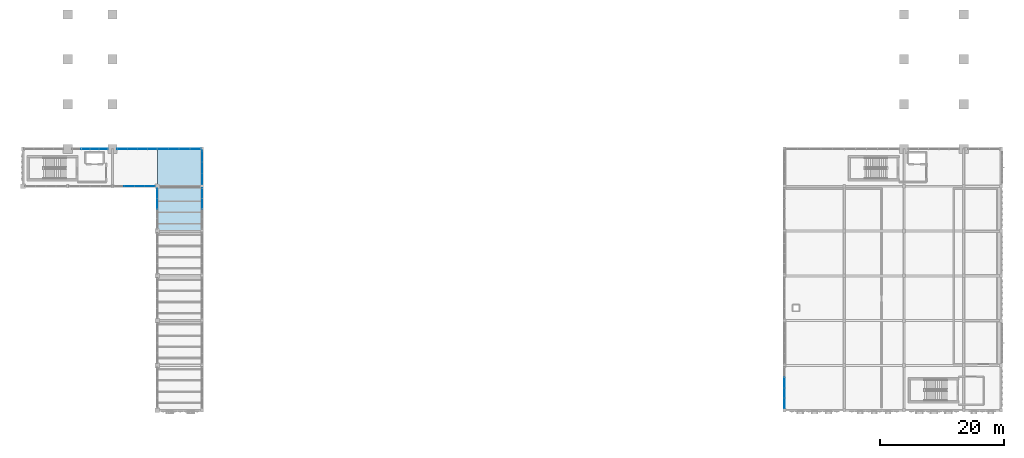
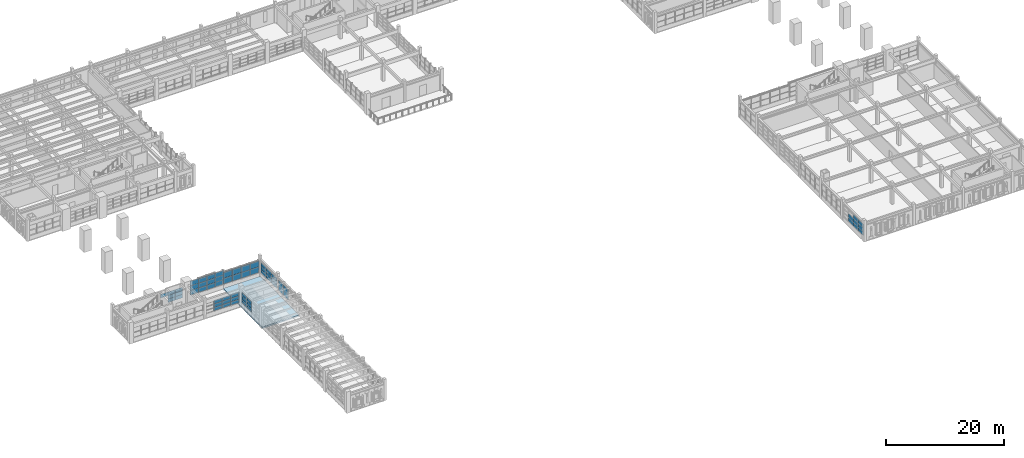
# One storey, part 34 of 69: 63 plates, 1 slab, 8 elements without a shape of their own.
"""IFC4 building model written with IfcOpenShell, lengths in metres."""

from ifc_helpers import new_model, si_unit, direction, frame, origin, origin_2d, place, context, subcontext, project, spatial, polyline, rectangle, outline, extrude, material, layer, layer_set, type_object, element, aggregate, save


model = new_model("IFC4")

# Units and contexts
model_context = context("Model", 3, precision=1e-05, world=origin(), true_north=direction((0.0, 1.0)))
body_context = subcontext(model_context, "Body", "Model", "MODEL_VIEW")
ifc_project = project(units=[si_unit("LENGTHUNIT", "METRE"), si_unit("AREAUNIT", "SQUARE_METRE"), si_unit("VOLUMEUNIT", "CUBIC_METRE"), si_unit("PLANEANGLEUNIT", "RADIAN"), si_unit("MASSUNIT", "GRAM", prefix="KILO")], contexts=[model_context])

# Site, building, storey
site_placement = place(None, origin())
site = spatial("IfcSite", under=ifc_project, at=site_placement, CompositionType="ELEMENT")
building_placement = place(site_placement, origin())
building = spatial("IfcBuilding", under=site, at=building_placement, Name="Nzembalo Square Collegiate School", CompositionType="ELEMENT")
storey_placement = place(building_placement, frame((0.0, 0.0, 5.10009765625)))
storey = spatial("IfcBuildingStorey", under=building, at=storey_placement, Name="L01", CompositionType="ELEMENT", Elevation=5.10009765625)

# Curtain wall, plates
ifc_material_1 = material(Name="Aluminium 6060-T66", Category="aluminium")
curtain_wall_type_1 = type_object("IfcCurtainWallType", Name="CW-05", PredefinedType="USERDEFINED", material=ifc_material_1)
curtain_wall_1_placement = place(storey_placement, origin())
curtain_wall_1 = element("IfcCurtainWall", 1, at=curtain_wall_1_placement, inside=storey, type_object=curtain_wall_type_1, Name="Curtain wall CW-05 cw:L01:036", ObjectType="LANCET", PredefinedType="USERDEFINED")
ifc_material_2 = material(Name="Laminated solar-control double glazing", Category="glass")
ifc_layer_1 = layer(ifc_material_2, 0.028076171875, Name="Laminated solar-control double glazing")
ifc_layer_set_1 = layer_set([ifc_layer_1], Name="Laminated solar-control double glazing")
plate_type_1 = type_object("IfcPlateType", Name="PN01", PredefinedType="CURTAIN_PANEL", material=ifc_layer_set_1)
plate_1_placement = place(storey_placement, frame((19.912109375, 50.39990234375, 0.85400390625), z_axis=(0.0, 0.0, 1.0), x_axis=(1.0, 0.0, 0.0)))
plate_1 = element("IfcPlate", 2, at=plate_1_placement, type_object=plate_type_1, Name="PN01 glazed panel 1-3", PredefinedType="CURTAIN_PANEL", context=body_context, shape_type="SweptSolid", body=[
    extrude(rectangle(XDim=1.416015625, YDim=0.028076171875, at=origin_2d()), origin(), (0.0, 0.0, 1.0), 0.716552734375),
])
plate_2_placement = place(storey_placement, frame((21.3359375, 50.39990234375, 0.85400390625), z_axis=(0.0, 0.0, 1.0), x_axis=(1.0, 0.0, 0.0)))
plate_2 = element("IfcPlate", 3, at=plate_2_placement, type_object=plate_type_1, Name="PN01 glazed panel 1-4", PredefinedType="CURTAIN_PANEL", context=body_context, shape_type="SweptSolid", body=[
    extrude(rectangle(XDim=1.416015625, YDim=0.028076171875, at=origin_2d()), origin(), (0.0, 0.0, 1.0), 0.716552734375),
])
plate_3_placement = place(storey_placement, frame((19.912109375, 50.39990234375, 1.57861328125), z_axis=(0.0, 0.0, 1.0), x_axis=(1.0, 0.0, 0.0)))
plate_3 = element("IfcPlate", 4, at=plate_3_placement, type_object=plate_type_1, Name="PN01 glazed panel 2-3", PredefinedType="CURTAIN_PANEL", context=body_context, shape_type="SweptSolid", body=[
    extrude(rectangle(XDim=1.416015625, YDim=0.028076171875, at=origin_2d()), origin(), (0.0, 0.0, 1.0), 0.716552734375),
])
plate_4_placement = place(storey_placement, frame((21.3359375, 50.39990234375, 1.57861328125), z_axis=(0.0, 0.0, 1.0), x_axis=(1.0, 0.0, 0.0)))
plate_4 = element("IfcPlate", 5, at=plate_4_placement, type_object=plate_type_1, Name="PN01 glazed panel 2-4", PredefinedType="CURTAIN_PANEL", context=body_context, shape_type="SweptSolid", body=[
    extrude(rectangle(XDim=1.416015625, YDim=0.028076171875, at=origin_2d()), origin(), (0.0, 0.0, 1.0), 0.716552734375),
])
plate_5_placement = place(storey_placement, frame((18.488037109375, 50.39990234375, 2.30322265625), z_axis=(0.0, 0.0, 1.0), x_axis=(1.0, 0.0, 0.0)))
plate_5 = element("IfcPlate", 6, at=plate_5_placement, type_object=plate_type_1, Name="PN01 glazed panel 3-2", PredefinedType="CURTAIN_PANEL", context=body_context, shape_type="SweptSolid", body=[
    extrude(rectangle(XDim=1.416015625, YDim=0.028076171875, at=origin_2d()), origin(), (0.0, 0.0, 1.0), 0.716552734375),
])
plate_6_placement = place(storey_placement, frame((19.912109375, 50.39990234375, 2.30322265625), z_axis=(0.0, 0.0, 1.0), x_axis=(1.0, 0.0, 0.0)))
plate_6 = element("IfcPlate", 7, at=plate_6_placement, type_object=plate_type_1, Name="PN01 glazed panel 3-3", PredefinedType="CURTAIN_PANEL", context=body_context, shape_type="SweptSolid", body=[
    extrude(rectangle(XDim=1.416015625, YDim=0.028076171875, at=origin_2d()), origin(), (0.0, 0.0, 1.0), 0.716552734375),
])
plate_7_placement = place(storey_placement, frame((21.3359375, 50.39990234375, 2.30322265625), z_axis=(0.0, 0.0, 1.0), x_axis=(1.0, 0.0, 0.0)))
plate_7 = element("IfcPlate", 8, at=plate_7_placement, type_object=plate_type_1, Name="PN01 glazed panel 3-4", PredefinedType="CURTAIN_PANEL", context=body_context, shape_type="SweptSolid", body=[
    extrude(rectangle(XDim=1.416015625, YDim=0.028076171875, at=origin_2d()), origin(), (0.0, 0.0, 1.0), 0.716552734375),
])
aggregate(curtain_wall_1, [plate_1, plate_2, plate_3, plate_4, plate_5, plate_6, plate_7])

ifc_material_3 = material(Name="Aluminium 6060-T66", Category="aluminium")
curtain_wall_type_2 = type_object("IfcCurtainWallType", Name="CW-13", PredefinedType="USERDEFINED", material=ifc_material_3)
curtain_wall_2_placement = place(storey_placement, origin())
curtain_wall_2 = element("IfcCurtainWall", 9, at=curtain_wall_2_placement, inside=storey, type_object=curtain_wall_type_2, Name="Curtain wall CW-13 cw:L01:044", ObjectType="UNITISED", PredefinedType="USERDEFINED")
plate_8_placement = place(storey_placement, frame((37.199951171875, 45.601318359375, 0.85400390625), z_axis=(0.0, 0.0, 1.0), x_axis=(0.0, 1.0, 0.0)))
plate_8 = element("IfcPlate", 10, at=plate_8_placement, type_object=plate_type_1, Name="PN01 glazed panel 1-1", PredefinedType="CURTAIN_PANEL", context=body_context, shape_type="SweptSolid", body=[
    extrude(rectangle(XDim=1.790771484375, YDim=0.028076171875, at=origin_2d()), origin(), (0.0, 0.0, 1.0), 0.716552734375),
])
plate_9_placement = place(storey_placement, frame((37.199951171875, 47.39990234375, 0.85400390625), z_axis=(0.0, 0.0, 1.0), x_axis=(0.0, 1.0, 0.0)))
plate_9 = element("IfcPlate", 11, at=plate_9_placement, type_object=plate_type_1, Name="PN01 glazed panel 1-2", PredefinedType="CURTAIN_PANEL", context=body_context, shape_type="SweptSolid", body=[
    extrude(rectangle(XDim=1.790771484375, YDim=0.028076171875, at=origin_2d()), origin(), (0.0, 0.0, 1.0), 0.716552734375),
])
plate_10_placement = place(storey_placement, frame((37.199951171875, 49.19873046875, 0.85400390625), z_axis=(0.0, 0.0, 1.0), x_axis=(0.0, 1.0, 0.0)))
plate_10 = element("IfcPlate", 12, at=plate_10_placement, type_object=plate_type_1, Name="PN01 glazed panel 1-3", PredefinedType="CURTAIN_PANEL", context=body_context, shape_type="SweptSolid", body=[
    extrude(rectangle(XDim=1.790771484375, YDim=0.028076171875, at=origin_2d()), origin(), (0.0, 0.0, 1.0), 0.716552734375),
])
plate_11_placement = place(storey_placement, frame((37.199951171875, 45.601318359375, 1.57861328125), z_axis=(0.0, 0.0, 1.0), x_axis=(0.0, 1.0, 0.0)))
plate_11 = element("IfcPlate", 13, at=plate_11_placement, type_object=plate_type_1, Name="PN01 glazed panel 2-1", PredefinedType="CURTAIN_PANEL", context=body_context, shape_type="SweptSolid", body=[
    extrude(rectangle(XDim=1.790771484375, YDim=0.028076171875, at=origin_2d()), origin(), (0.0, 0.0, 1.0), 0.716552734375),
])
plate_12_placement = place(storey_placement, frame((37.199951171875, 47.39990234375, 1.57861328125), z_axis=(0.0, 0.0, 1.0), x_axis=(0.0, 1.0, 0.0)))
plate_12 = element("IfcPlate", 14, at=plate_12_placement, type_object=plate_type_1, Name="PN01 glazed panel 2-2", PredefinedType="CURTAIN_PANEL", context=body_context, shape_type="SweptSolid", body=[
    extrude(rectangle(XDim=1.790771484375, YDim=0.028076171875, at=origin_2d()), origin(), (0.0, 0.0, 1.0), 0.716552734375),
])
plate_13_placement = place(storey_placement, frame((37.199951171875, 49.19873046875, 1.57861328125), z_axis=(0.0, 0.0, 1.0), x_axis=(0.0, 1.0, 0.0)))
plate_13 = element("IfcPlate", 15, at=plate_13_placement, type_object=plate_type_1, Name="PN01 glazed panel 2-3", PredefinedType="CURTAIN_PANEL", context=body_context, shape_type="SweptSolid", body=[
    extrude(rectangle(XDim=1.790771484375, YDim=0.028076171875, at=origin_2d()), origin(), (0.0, 0.0, 1.0), 0.716552734375),
])
plate_14_placement = place(storey_placement, frame((37.199951171875, 45.601318359375, 2.30322265625), z_axis=(0.0, 0.0, 1.0), x_axis=(0.0, 1.0, 0.0)))
plate_14 = element("IfcPlate", 16, at=plate_14_placement, type_object=plate_type_1, Name="PN01 glazed panel 3-1", PredefinedType="CURTAIN_PANEL", context=body_context, shape_type="SweptSolid", body=[
    extrude(rectangle(XDim=1.790771484375, YDim=0.028076171875, at=origin_2d()), origin(), (0.0, 0.0, 1.0), 0.716552734375),
])
plate_15_placement = place(storey_placement, frame((37.199951171875, 47.39990234375, 2.30322265625), z_axis=(0.0, 0.0, 1.0), x_axis=(0.0, 1.0, 0.0)))
plate_15 = element("IfcPlate", 17, at=plate_15_placement, type_object=plate_type_1, Name="PN01 glazed panel 3-2", PredefinedType="CURTAIN_PANEL", context=body_context, shape_type="SweptSolid", body=[
    extrude(rectangle(XDim=1.790771484375, YDim=0.028076171875, at=origin_2d()), origin(), (0.0, 0.0, 1.0), 0.716552734375),
])
plate_16_placement = place(storey_placement, frame((37.199951171875, 49.19873046875, 2.30322265625), z_axis=(0.0, 0.0, 1.0), x_axis=(0.0, 1.0, 0.0)))
plate_16 = element("IfcPlate", 18, at=plate_16_placement, type_object=plate_type_1, Name="PN01 glazed panel 3-3", PredefinedType="CURTAIN_PANEL", context=body_context, shape_type="SweptSolid", body=[
    extrude(rectangle(XDim=1.790771484375, YDim=0.028076171875, at=origin_2d()), origin(), (0.0, 0.0, 1.0), 0.716552734375),
])
aggregate(curtain_wall_2, [plate_8, plate_9, plate_10, plate_11, plate_12, plate_13, plate_14, plate_15, plate_16])

ifc_material_4 = material(Name="Aluminium 6060-T66", Category="aluminium")
curtain_wall_type_3 = type_object("IfcCurtainWallType", Name="CW-02", PredefinedType="USERDEFINED", material=ifc_material_4)
curtain_wall_3_placement = place(storey_placement, origin())
curtain_wall_3 = element("IfcCurtainWall", 19, at=curtain_wall_3_placement, inside=storey, type_object=curtain_wall_type_3, Name="Curtain wall CW-02 cw:L01:049", ObjectType="UNITISED", PredefinedType="USERDEFINED")
plate_17_placement = place(storey_placement, frame((30.0, 41.605712890625, 0.85400390625), z_axis=(0.0, 0.0, 1.0), x_axis=(0.0, 1.0, 0.0)))
plate_17 = element("IfcPlate", 20, at=plate_17_placement, type_object=plate_type_1, Name="PN01 glazed panel 1-3", PredefinedType="CURTAIN_PANEL", context=body_context, shape_type="SweptSolid", body=[
    extrude(rectangle(XDim=1.603515625, YDim=0.028076171875, at=origin_2d()), origin(), (0.0, 0.0, 1.0), 0.716552734375),
])
plate_18_placement = place(storey_placement, frame((30.0, 43.21728515625, 0.85400390625), z_axis=(0.0, 0.0, 1.0), x_axis=(0.0, 1.0, 0.0)))
plate_18 = element("IfcPlate", 21, at=plate_18_placement, type_object=plate_type_1, Name="PN01 glazed panel 1-4", PredefinedType="CURTAIN_PANEL", context=body_context, shape_type="SweptSolid", body=[
    extrude(rectangle(XDim=1.603515625, YDim=0.028076171875, at=origin_2d()), origin(), (0.0, 0.0, 1.0), 0.716552734375),
])
plate_19_placement = place(storey_placement, frame((30.0, 41.605712890625, 1.57861328125), z_axis=(0.0, 0.0, 1.0), x_axis=(0.0, 1.0, 0.0)))
plate_19 = element("IfcPlate", 22, at=plate_19_placement, type_object=plate_type_1, Name="PN01 glazed panel 2-3", PredefinedType="CURTAIN_PANEL", context=body_context, shape_type="SweptSolid", body=[
    extrude(rectangle(XDim=1.603515625, YDim=0.028076171875, at=origin_2d()), origin(), (0.0, 0.0, 1.0), 0.716552734375),
])
plate_20_placement = place(storey_placement, frame((30.0, 43.21728515625, 1.57861328125), z_axis=(0.0, 0.0, 1.0), x_axis=(0.0, 1.0, 0.0)))
plate_20 = element("IfcPlate", 23, at=plate_20_placement, type_object=plate_type_1, Name="PN01 glazed panel 2-4", PredefinedType="CURTAIN_PANEL", context=body_context, shape_type="SweptSolid", body=[
    extrude(rectangle(XDim=1.603515625, YDim=0.028076171875, at=origin_2d()), origin(), (0.0, 0.0, 1.0), 0.716552734375),
])
plate_21_placement = place(storey_placement, frame((30.0, 41.605712890625, 2.30322265625), z_axis=(0.0, 0.0, 1.0), x_axis=(0.0, 1.0, 0.0)))
plate_21 = element("IfcPlate", 24, at=plate_21_placement, type_object=plate_type_1, Name="PN01 glazed panel 3-3", PredefinedType="CURTAIN_PANEL", context=body_context, shape_type="SweptSolid", body=[
    extrude(rectangle(XDim=1.603515625, YDim=0.028076171875, at=origin_2d()), origin(), (0.0, 0.0, 1.0), 0.716552734375),
])
plate_22_placement = place(storey_placement, frame((30.0, 43.21728515625, 2.30322265625), z_axis=(0.0, 0.0, 1.0), x_axis=(0.0, 1.0, 0.0)))
plate_22 = element("IfcPlate", 25, at=plate_22_placement, type_object=plate_type_1, Name="PN01 glazed panel 3-4", PredefinedType="CURTAIN_PANEL", context=body_context, shape_type="SweptSolid", body=[
    extrude(rectangle(XDim=1.603515625, YDim=0.028076171875, at=origin_2d()), origin(), (0.0, 0.0, 1.0), 0.716552734375),
])
aggregate(curtain_wall_3, [plate_17, plate_18, plate_19, plate_20, plate_21, plate_22])

curtain_wall_4_placement = place(storey_placement, origin())
curtain_wall_4 = element("IfcCurtainWall", 26, at=curtain_wall_4_placement, inside=storey, type_object=curtain_wall_type_1, Name="Curtain wall CW-05 cw:L01:052", ObjectType="LANCET", PredefinedType="USERDEFINED")
plate_23_placement = place(storey_placement, frame((25.50048828125, 44.39990234375, 0.85400390625), z_axis=(0.0, 0.0, 1.0), x_axis=(1.0, 0.0, 0.0)))
plate_23 = element("IfcPlate", 27, at=plate_23_placement, type_object=plate_type_1, Name="PN01 glazed panel 1-2", PredefinedType="CURTAIN_PANEL", context=body_context, shape_type="SweptSolid", body=[
    extrude(rectangle(XDim=1.64111328125, YDim=0.028076171875, at=origin_2d()), origin(), (0.0, 0.0, 1.0), 0.716552734375),
])
plate_24_placement = place(storey_placement, frame((27.1494140625, 44.39990234375, 0.85400390625), z_axis=(0.0, 0.0, 1.0), x_axis=(1.0, 0.0, 0.0)))
plate_24 = element("IfcPlate", 28, at=plate_24_placement, type_object=plate_type_1, Name="PN01 glazed panel 1-3", PredefinedType="CURTAIN_PANEL", context=body_context, shape_type="SweptSolid", body=[
    extrude(rectangle(XDim=1.64111328125, YDim=0.028076171875, at=origin_2d()), origin(), (0.0, 0.0, 1.0), 0.716552734375),
])
plate_25_placement = place(storey_placement, frame((28.798583984375, 44.39990234375, 0.85400390625), z_axis=(0.0, 0.0, 1.0), x_axis=(1.0, 0.0, 0.0)))
plate_25 = element("IfcPlate", 29, at=plate_25_placement, type_object=plate_type_1, Name="PN01 glazed panel 1-4", PredefinedType="CURTAIN_PANEL", context=body_context, shape_type="SweptSolid", body=[
    extrude(rectangle(XDim=1.64111328125, YDim=0.028076171875, at=origin_2d()), origin(), (0.0, 0.0, 1.0), 0.716552734375),
])
plate_26_placement = place(storey_placement, frame((25.50048828125, 44.39990234375, 1.57861328125), z_axis=(0.0, 0.0, 1.0), x_axis=(1.0, 0.0, 0.0)))
plate_26 = element("IfcPlate", 30, at=plate_26_placement, type_object=plate_type_1, Name="PN01 glazed panel 2-2", PredefinedType="CURTAIN_PANEL", context=body_context, shape_type="SweptSolid", body=[
    extrude(rectangle(XDim=1.64111328125, YDim=0.028076171875, at=origin_2d()), origin(), (0.0, 0.0, 1.0), 0.716552734375),
])
plate_27_placement = place(storey_placement, frame((27.1494140625, 44.39990234375, 1.57861328125), z_axis=(0.0, 0.0, 1.0), x_axis=(1.0, 0.0, 0.0)))
plate_27 = element("IfcPlate", 31, at=plate_27_placement, type_object=plate_type_1, Name="PN01 glazed panel 2-3", PredefinedType="CURTAIN_PANEL", context=body_context, shape_type="SweptSolid", body=[
    extrude(rectangle(XDim=1.64111328125, YDim=0.028076171875, at=origin_2d()), origin(), (0.0, 0.0, 1.0), 0.716552734375),
])
plate_28_placement = place(storey_placement, frame((28.798583984375, 44.39990234375, 1.57861328125), z_axis=(0.0, 0.0, 1.0), x_axis=(1.0, 0.0, 0.0)))
plate_28 = element("IfcPlate", 32, at=plate_28_placement, type_object=plate_type_1, Name="PN01 glazed panel 2-4", PredefinedType="CURTAIN_PANEL", context=body_context, shape_type="SweptSolid", body=[
    extrude(rectangle(XDim=1.64111328125, YDim=0.028076171875, at=origin_2d()), origin(), (0.0, 0.0, 1.0), 0.716552734375),
])
plate_29_placement = place(storey_placement, frame((25.50048828125, 44.39990234375, 2.30322265625), z_axis=(0.0, 0.0, 1.0), x_axis=(1.0, 0.0, 0.0)))
plate_29 = element("IfcPlate", 33, at=plate_29_placement, type_object=plate_type_1, Name="PN01 glazed panel 3-2", PredefinedType="CURTAIN_PANEL", context=body_context, shape_type="SweptSolid", body=[
    extrude(rectangle(XDim=1.64111328125, YDim=0.028076171875, at=origin_2d()), origin(), (0.0, 0.0, 1.0), 0.716552734375),
])
plate_30_placement = place(storey_placement, frame((27.1494140625, 44.39990234375, 2.30322265625), z_axis=(0.0, 0.0, 1.0), x_axis=(1.0, 0.0, 0.0)))
plate_30 = element("IfcPlate", 34, at=plate_30_placement, type_object=plate_type_1, Name="PN01 glazed panel 3-3", PredefinedType="CURTAIN_PANEL", context=body_context, shape_type="SweptSolid", body=[
    extrude(rectangle(XDim=1.64111328125, YDim=0.028076171875, at=origin_2d()), origin(), (0.0, 0.0, 1.0), 0.716552734375),
])
plate_31_placement = place(storey_placement, frame((28.798583984375, 44.39990234375, 2.30322265625), z_axis=(0.0, 0.0, 1.0), x_axis=(1.0, 0.0, 0.0)))
plate_31 = element("IfcPlate", 35, at=plate_31_placement, type_object=plate_type_1, Name="PN01 glazed panel 3-4", PredefinedType="CURTAIN_PANEL", context=body_context, shape_type="SweptSolid", body=[
    extrude(rectangle(XDim=1.64111328125, YDim=0.028076171875, at=origin_2d()), origin(), (0.0, 0.0, 1.0), 0.716552734375),
])
aggregate(curtain_wall_4, [plate_23, plate_24, plate_25, plate_26, plate_27, plate_28, plate_29, plate_30, plate_31])

ifc_material_5 = material(Name="Aluminium 6060-T66", Category="aluminium")
curtain_wall_type_4 = type_object("IfcCurtainWallType", Name="CW-06", PredefinedType="USERDEFINED", material=ifc_material_5)
curtain_wall_5_placement = place(storey_placement, origin())
curtain_wall_5 = element("IfcCurtainWall", 36, at=curtain_wall_5_placement, inside=storey, type_object=curtain_wall_type_4, Name="Curtain wall CW-06 cw:L01:037", ObjectType="LANCET", PredefinedType="USERDEFINED")
ifc_material_6 = material(Name="Acoustic laminated solar-control glazing", Category="glass")
ifc_layer_2 = layer(ifc_material_6, 0.031982421875, Name="Acoustic laminated solar-control glazing")
ifc_layer_set_2 = layer_set([ifc_layer_2], Name="Acoustic laminated solar-control glazing")
plate_type_2 = type_object("IfcPlateType", Name="PN02", PredefinedType="CURTAIN_PANEL", material=ifc_layer_set_2)
plate_32_placement = place(storey_placement, frame((24.35791015625, 50.39990234375, 0.85400390625), z_axis=(0.0, 0.0, 1.0), x_axis=(1.0, 0.0, 0.0)))
plate_32 = element("IfcPlate", 37, at=plate_32_placement, type_object=plate_type_2, Name="PN02 glazed panel 1-1", PredefinedType="CURTAIN_PANEL", context=body_context, shape_type="SweptSolid", body=[
    extrude(rectangle(XDim=1.60400390625, YDim=0.031982421875, at=origin_2d()), origin(), (0.0, 0.0, 1.0), 0.949951171875),
])
plate_33_placement = place(storey_placement, frame((25.969970703125, 50.39990234375, 0.85400390625), z_axis=(0.0, 0.0, 1.0), x_axis=(1.0, 0.0, 0.0)))
plate_33 = element("IfcPlate", 38, at=plate_33_placement, type_object=plate_type_2, Name="PN02 glazed panel 1-2", PredefinedType="CURTAIN_PANEL", context=body_context, shape_type="SweptSolid", body=[
    extrude(rectangle(XDim=1.60400390625, YDim=0.031982421875, at=origin_2d()), origin(), (0.0, 0.0, 1.0), 0.949951171875),
])
plate_34_placement = place(storey_placement, frame((27.58203125, 50.39990234375, 0.85400390625), z_axis=(0.0, 0.0, 1.0), x_axis=(1.0, 0.0, 0.0)))
plate_34 = element("IfcPlate", 39, at=plate_34_placement, type_object=plate_type_2, Name="PN02 glazed panel 1-3", PredefinedType="CURTAIN_PANEL", context=body_context, shape_type="SweptSolid", body=[
    extrude(rectangle(XDim=1.60400390625, YDim=0.031982421875, at=origin_2d()), origin(), (0.0, 0.0, 1.0), 0.949951171875),
])
plate_35_placement = place(storey_placement, frame((29.194091796875, 50.39990234375, 0.85400390625), z_axis=(0.0, 0.0, 1.0), x_axis=(1.0, 0.0, 0.0)))
plate_35 = element("IfcPlate", 40, at=plate_35_placement, type_object=plate_type_2, Name="PN02 glazed panel 1-4", PredefinedType="CURTAIN_PANEL", context=body_context, shape_type="SweptSolid", body=[
    extrude(rectangle(XDim=1.60400390625, YDim=0.031982421875, at=origin_2d()), origin(), (0.0, 0.0, 1.0), 0.949951171875),
])
plate_36_placement = place(storey_placement, frame((24.35791015625, 50.39990234375, 1.81201171875), z_axis=(0.0, 0.0, 1.0), x_axis=(1.0, 0.0, 0.0)))
plate_36 = element("IfcPlate", 41, at=plate_36_placement, type_object=plate_type_2, Name="PN02 glazed panel 2-1", PredefinedType="CURTAIN_PANEL", context=body_context, shape_type="SweptSolid", body=[
    extrude(rectangle(XDim=1.60400390625, YDim=0.031982421875, at=origin_2d()), origin(), (0.0, 0.0, 1.0), 0.949951171875),
])
plate_37_placement = place(storey_placement, frame((25.969970703125, 50.39990234375, 1.81201171875), z_axis=(0.0, 0.0, 1.0), x_axis=(1.0, 0.0, 0.0)))
plate_37 = element("IfcPlate", 42, at=plate_37_placement, type_object=plate_type_2, Name="PN02 glazed panel 2-2", PredefinedType="CURTAIN_PANEL", context=body_context, shape_type="SweptSolid", body=[
    extrude(rectangle(XDim=1.60400390625, YDim=0.031982421875, at=origin_2d()), origin(), (0.0, 0.0, 1.0), 0.949951171875),
])
plate_38_placement = place(storey_placement, frame((27.58203125, 50.39990234375, 1.81201171875), z_axis=(0.0, 0.0, 1.0), x_axis=(1.0, 0.0, 0.0)))
plate_38 = element("IfcPlate", 43, at=plate_38_placement, type_object=plate_type_2, Name="PN02 glazed panel 2-3", PredefinedType="CURTAIN_PANEL", context=body_context, shape_type="SweptSolid", body=[
    extrude(rectangle(XDim=1.60400390625, YDim=0.031982421875, at=origin_2d()), origin(), (0.0, 0.0, 1.0), 0.949951171875),
])
plate_39_placement = place(storey_placement, frame((29.194091796875, 50.39990234375, 1.81201171875), z_axis=(0.0, 0.0, 1.0), x_axis=(1.0, 0.0, 0.0)))
plate_39 = element("IfcPlate", 44, at=plate_39_placement, type_object=plate_type_2, Name="PN02 glazed panel 2-4", PredefinedType="CURTAIN_PANEL", context=body_context, shape_type="SweptSolid", body=[
    extrude(rectangle(XDim=1.60400390625, YDim=0.031982421875, at=origin_2d()), origin(), (0.0, 0.0, 1.0), 0.949951171875),
])
plate_40_placement = place(storey_placement, frame((24.35791015625, 50.39990234375, 2.77001953125), z_axis=(0.0, 0.0, 1.0), x_axis=(1.0, 0.0, 0.0)))
plate_40 = element("IfcPlate", 45, at=plate_40_placement, type_object=plate_type_2, Name="PN02 glazed panel 3-1", PredefinedType="CURTAIN_PANEL", context=body_context, shape_type="SweptSolid", body=[
    extrude(rectangle(XDim=1.60400390625, YDim=0.031982421875, at=origin_2d()), origin(), (0.0, 0.0, 1.0), 0.949951171875),
])
plate_41_placement = place(storey_placement, frame((25.969970703125, 50.39990234375, 2.77001953125), z_axis=(0.0, 0.0, 1.0), x_axis=(1.0, 0.0, 0.0)))
plate_41 = element("IfcPlate", 46, at=plate_41_placement, type_object=plate_type_2, Name="PN02 glazed panel 3-2", PredefinedType="CURTAIN_PANEL", context=body_context, shape_type="SweptSolid", body=[
    extrude(rectangle(XDim=1.60400390625, YDim=0.031982421875, at=origin_2d()), origin(), (0.0, 0.0, 1.0), 0.949951171875),
])
plate_42_placement = place(storey_placement, frame((27.58203125, 50.39990234375, 2.77001953125), z_axis=(0.0, 0.0, 1.0), x_axis=(1.0, 0.0, 0.0)))
plate_42 = element("IfcPlate", 47, at=plate_42_placement, type_object=plate_type_2, Name="PN02 glazed panel 3-3", PredefinedType="CURTAIN_PANEL", context=body_context, shape_type="SweptSolid", body=[
    extrude(rectangle(XDim=1.60400390625, YDim=0.031982421875, at=origin_2d()), origin(), (0.0, 0.0, 1.0), 0.949951171875),
])
plate_43_placement = place(storey_placement, frame((29.194091796875, 50.39990234375, 2.77001953125), z_axis=(0.0, 0.0, 1.0), x_axis=(1.0, 0.0, 0.0)))
plate_43 = element("IfcPlate", 48, at=plate_43_placement, type_object=plate_type_2, Name="PN02 glazed panel 3-4", PredefinedType="CURTAIN_PANEL", context=body_context, shape_type="SweptSolid", body=[
    extrude(rectangle(XDim=1.60400390625, YDim=0.031982421875, at=origin_2d()), origin(), (0.0, 0.0, 1.0), 0.949951171875),
])
aggregate(curtain_wall_5, [plate_32, plate_33, plate_34, plate_35, plate_36, plate_37, plate_38, plate_39, plate_40, plate_41, plate_42, plate_43])

ifc_material_7 = material(Name="Aluminium 6060-T66", Category="aluminium")
curtain_wall_type_5 = type_object("IfcCurtainWallType", Name="CW-07", PredefinedType="USERDEFINED", material=ifc_material_7)
curtain_wall_6_placement = place(storey_placement, origin())
curtain_wall_6 = element("IfcCurtainWall", 49, at=curtain_wall_6_placement, inside=storey, type_object=curtain_wall_type_5, Name="Curtain wall CW-07 cw:L01:038", ObjectType="LANCET", PredefinedType="USERDEFINED")
plate_44_placement = place(storey_placement, frame((30.87158203125, 50.39990234375, 0.85400390625), z_axis=(0.0, 0.0, 1.0), x_axis=(1.0, 0.0, 0.0)))
plate_44 = element("IfcPlate", 50, at=plate_44_placement, type_object=plate_type_2, Name="PN02 glazed panel 1-1", PredefinedType="CURTAIN_PANEL", context=body_context, shape_type="SweptSolid", body=[
    extrude(rectangle(XDim=1.7353515625, YDim=0.031982421875, at=origin_2d()), origin(), (0.0, 0.0, 1.0), 1.214111328125),
])
plate_45_placement = place(storey_placement, frame((32.614990234375, 50.39990234375, 0.85400390625), z_axis=(0.0, 0.0, 1.0), x_axis=(1.0, 0.0, 0.0)))
plate_45 = element("IfcPlate", 51, at=plate_45_placement, type_object=plate_type_2, Name="PN02 glazed panel 1-2", PredefinedType="CURTAIN_PANEL", context=body_context, shape_type="SweptSolid", body=[
    extrude(rectangle(XDim=1.7353515625, YDim=0.031982421875, at=origin_2d()), origin(), (0.0, 0.0, 1.0), 1.214111328125),
])
plate_46_placement = place(storey_placement, frame((34.358154296875, 50.39990234375, 0.85400390625), z_axis=(0.0, 0.0, 1.0), x_axis=(1.0, 0.0, 0.0)))
plate_46 = element("IfcPlate", 52, at=plate_46_placement, type_object=plate_type_2, Name="PN02 glazed panel 1-3", PredefinedType="CURTAIN_PANEL", context=body_context, shape_type="SweptSolid", body=[
    extrude(rectangle(XDim=1.7353515625, YDim=0.031982421875, at=origin_2d()), origin(), (0.0, 0.0, 1.0), 1.214111328125),
])
plate_47_placement = place(storey_placement, frame((36.101318359375, 50.39990234375, 0.85400390625), z_axis=(0.0, 0.0, 1.0), x_axis=(1.0, 0.0, 0.0)))
plate_47 = element("IfcPlate", 53, at=plate_47_placement, type_object=plate_type_2, Name="PN02 glazed panel 1-4", PredefinedType="CURTAIN_PANEL", context=body_context, shape_type="SweptSolid", body=[
    extrude(rectangle(XDim=1.7353515625, YDim=0.031982421875, at=origin_2d()), origin(), (0.0, 0.0, 1.0), 1.214111328125),
])
plate_48_placement = place(storey_placement, frame((30.87158203125, 50.39990234375, 2.07568359375), z_axis=(0.0, 0.0, 1.0), x_axis=(1.0, 0.0, 0.0)))
plate_48 = element("IfcPlate", 54, at=plate_48_placement, type_object=plate_type_2, Name="PN02 glazed panel 2-1", PredefinedType="CURTAIN_PANEL", context=body_context, shape_type="SweptSolid", body=[
    extrude(rectangle(XDim=1.7353515625, YDim=0.031982421875, at=origin_2d()), origin(), (0.0, 0.0, 1.0), 1.214111328125),
])
plate_49_placement = place(storey_placement, frame((32.614990234375, 50.39990234375, 2.07568359375), z_axis=(0.0, 0.0, 1.0), x_axis=(1.0, 0.0, 0.0)))
plate_49 = element("IfcPlate", 55, at=plate_49_placement, type_object=plate_type_2, Name="PN02 glazed panel 2-2", PredefinedType="CURTAIN_PANEL", context=body_context, shape_type="SweptSolid", body=[
    extrude(rectangle(XDim=1.7353515625, YDim=0.031982421875, at=origin_2d()), origin(), (0.0, 0.0, 1.0), 1.214111328125),
])
plate_50_placement = place(storey_placement, frame((34.358154296875, 50.39990234375, 2.07568359375), z_axis=(0.0, 0.0, 1.0), x_axis=(1.0, 0.0, 0.0)))
plate_50 = element("IfcPlate", 56, at=plate_50_placement, type_object=plate_type_2, Name="PN02 glazed panel 2-3", PredefinedType="CURTAIN_PANEL", context=body_context, shape_type="SweptSolid", body=[
    extrude(rectangle(XDim=1.7353515625, YDim=0.031982421875, at=origin_2d()), origin(), (0.0, 0.0, 1.0), 1.214111328125),
])
plate_51_placement = place(storey_placement, frame((36.101318359375, 50.39990234375, 2.07568359375), z_axis=(0.0, 0.0, 1.0), x_axis=(1.0, 0.0, 0.0)))
plate_51 = element("IfcPlate", 57, at=plate_51_placement, type_object=plate_type_2, Name="PN02 glazed panel 2-4", PredefinedType="CURTAIN_PANEL", context=body_context, shape_type="SweptSolid", body=[
    extrude(rectangle(XDim=1.7353515625, YDim=0.031982421875, at=origin_2d()), origin(), (0.0, 0.0, 1.0), 1.214111328125),
])
aggregate(curtain_wall_6, [plate_44, plate_45, plate_46, plate_47, plate_48, plate_49, plate_50, plate_51])

ifc_material_8 = material(Name="Aluminium 6060-T66", Category="aluminium")
curtain_wall_type_6 = type_object("IfcCurtainWallType", Name="CW-04", PredefinedType="USERDEFINED", material=ifc_material_8)
curtain_wall_7_placement = place(storey_placement, origin())
curtain_wall_7 = element("IfcCurtainWall", 58, at=curtain_wall_7_placement, inside=storey, type_object=curtain_wall_type_6, Name="Curtain wall CW-04 cw:L01:043", ObjectType="UNITISED", PredefinedType="USERDEFINED")
plate_52_placement = place(storey_placement, frame((37.199951171875, 41.62451171875, 0.853759765625), z_axis=(0.0, 0.0, 1.0), x_axis=(0.0, 1.0, 0.0)))
plate_52 = element("IfcPlate", 59, at=plate_52_placement, type_object=plate_type_2, Name="PN02 glazed panel 1-3", PredefinedType="CURTAIN_PANEL", context=body_context, shape_type="SweptSolid", body=[
    extrude(rectangle(XDim=1.64111328125, YDim=0.031982421875, at=origin_2d()), origin(), (0.0, 0.0, 1.0), 1.0791015625),
])
plate_53_placement = place(storey_placement, frame((37.199951171875, 43.2734375, 0.853759765625), z_axis=(0.0, 0.0, 1.0), x_axis=(0.0, 1.0, 0.0)))
plate_53 = element("IfcPlate", 60, at=plate_53_placement, type_object=plate_type_2, Name="PN02 glazed panel 1-4", PredefinedType="CURTAIN_PANEL", context=body_context, shape_type="SweptSolid", body=[
    extrude(rectangle(XDim=1.64111328125, YDim=0.031982421875, at=origin_2d()), origin(), (0.0, 0.0, 1.0), 1.0791015625),
])
plate_54_placement = place(storey_placement, frame((37.199951171875, 41.62451171875, 1.94091796875), z_axis=(0.0, 0.0, 1.0), x_axis=(0.0, 1.0, 0.0)))
plate_54 = element("IfcPlate", 61, at=plate_54_placement, type_object=plate_type_2, Name="PN02 glazed panel 2-3", PredefinedType="CURTAIN_PANEL", context=body_context, shape_type="SweptSolid", body=[
    extrude(rectangle(XDim=1.64111328125, YDim=0.031982421875, at=origin_2d()), origin(), (0.0, 0.0, 1.0), 1.0791015625),
])
plate_55_placement = place(storey_placement, frame((37.199951171875, 43.2734375, 1.94091796875), z_axis=(0.0, 0.0, 1.0), x_axis=(0.0, 1.0, 0.0)))
plate_55 = element("IfcPlate", 62, at=plate_55_placement, type_object=plate_type_2, Name="PN02 glazed panel 2-4", PredefinedType="CURTAIN_PANEL", context=body_context, shape_type="SweptSolid", body=[
    extrude(rectangle(XDim=1.64111328125, YDim=0.031982421875, at=origin_2d()), origin(), (0.0, 0.0, 1.0), 1.0791015625),
])
aggregate(curtain_wall_7, [plate_52, plate_53, plate_54, plate_55])

curtain_wall_8_placement = place(storey_placement, origin())
curtain_wall_8 = element("IfcCurtainWall", 63, at=curtain_wall_8_placement, inside=storey, type_object=curtain_wall_type_4, Name="Curtain wall CW-06 cw:L01:053", ObjectType="LANCET", PredefinedType="USERDEFINED")
plate_56_placement = place(storey_placement, frame((130.800048828125, 9.526611328125, 0.85400390625), z_axis=(0.0, 0.0, 1.0), x_axis=(0.0, 1.0, 0.0)))
plate_56 = element("IfcPlate", 64, at=plate_56_placement, type_object=plate_type_2, Name="PN02 glazed panel 1-1", PredefinedType="CURTAIN_PANEL", context=body_context, shape_type="SweptSolid", body=[
    extrude(rectangle(XDim=1.64111328125, YDim=0.031982421875, at=origin_2d()), origin(), (0.0, 0.0, 1.0), 0.7900390625),
])
plate_57_placement = place(storey_placement, frame((130.800048828125, 11.175537109375, 0.85400390625), z_axis=(0.0, 0.0, 1.0), x_axis=(0.0, 1.0, 0.0)))
plate_57 = element("IfcPlate", 65, at=plate_57_placement, type_object=plate_type_2, Name="PN02 glazed panel 1-2", PredefinedType="CURTAIN_PANEL", context=body_context, shape_type="SweptSolid", body=[
    extrude(rectangle(XDim=1.64111328125, YDim=0.031982421875, at=origin_2d()), origin(), (0.0, 0.0, 1.0), 0.7900390625),
])
plate_58_placement = place(storey_placement, frame((130.800048828125, 12.824462890625, 0.85400390625), z_axis=(0.0, 0.0, 1.0), x_axis=(0.0, 1.0, 0.0)))
plate_58 = element("IfcPlate", 66, at=plate_58_placement, type_object=plate_type_2, Name="PN02 glazed panel 1-3", PredefinedType="CURTAIN_PANEL", context=body_context, shape_type="SweptSolid", body=[
    extrude(rectangle(XDim=1.64111328125, YDim=0.031982421875, at=origin_2d()), origin(), (0.0, 0.0, 1.0), 0.7900390625),
])
plate_59_placement = place(storey_placement, frame((130.800048828125, 9.526611328125, 1.65185546875), z_axis=(0.0, 0.0, 1.0), x_axis=(0.0, 1.0, 0.0)))
plate_59 = element("IfcPlate", 67, at=plate_59_placement, type_object=plate_type_2, Name="PN02 glazed panel 2-1", PredefinedType="CURTAIN_PANEL", context=body_context, shape_type="SweptSolid", body=[
    extrude(rectangle(XDim=1.64111328125, YDim=0.031982421875, at=origin_2d()), origin(), (0.0, 0.0, 1.0), 0.7900390625),
])
plate_60_placement = place(storey_placement, frame((130.800048828125, 11.175537109375, 1.65185546875), z_axis=(0.0, 0.0, 1.0), x_axis=(0.0, 1.0, 0.0)))
plate_60 = element("IfcPlate", 68, at=plate_60_placement, type_object=plate_type_2, Name="PN02 glazed panel 2-2", PredefinedType="CURTAIN_PANEL", context=body_context, shape_type="SweptSolid", body=[
    extrude(rectangle(XDim=1.64111328125, YDim=0.031982421875, at=origin_2d()), origin(), (0.0, 0.0, 1.0), 0.7900390625),
])
plate_61_placement = place(storey_placement, frame((130.800048828125, 12.824462890625, 1.65185546875), z_axis=(0.0, 0.0, 1.0), x_axis=(0.0, 1.0, 0.0)))
plate_61 = element("IfcPlate", 69, at=plate_61_placement, type_object=plate_type_2, Name="PN02 glazed panel 2-3", PredefinedType="CURTAIN_PANEL", context=body_context, shape_type="SweptSolid", body=[
    extrude(rectangle(XDim=1.64111328125, YDim=0.031982421875, at=origin_2d()), origin(), (0.0, 0.0, 1.0), 0.7900390625),
])
plate_62_placement = place(storey_placement, frame((130.800048828125, 9.526611328125, 2.449951171875), z_axis=(0.0, 0.0, 1.0), x_axis=(0.0, 1.0, 0.0)))
plate_62 = element("IfcPlate", 70, at=plate_62_placement, type_object=plate_type_2, Name="PN02 glazed panel 3-1", PredefinedType="CURTAIN_PANEL", context=body_context, shape_type="SweptSolid", body=[
    extrude(rectangle(XDim=1.64111328125, YDim=0.031982421875, at=origin_2d()), origin(), (0.0, 0.0, 1.0), 0.7900390625),
])
plate_63_placement = place(storey_placement, frame((130.800048828125, 11.175537109375, 2.449951171875), z_axis=(0.0, 0.0, 1.0), x_axis=(0.0, 1.0, 0.0)))
plate_63 = element("IfcPlate", 71, at=plate_63_placement, type_object=plate_type_2, Name="PN02 glazed panel 3-2", PredefinedType="CURTAIN_PANEL", context=body_context, shape_type="SweptSolid", body=[
    extrude(rectangle(XDim=1.64111328125, YDim=0.031982421875, at=origin_2d()), origin(), (0.0, 0.0, 1.0), 0.7900390625),
])
aggregate(curtain_wall_8, [plate_56, plate_57, plate_58, plate_59, plate_60, plate_61, plate_62, plate_63])

# Slab
ifc_material_9 = material(Name="Concrete C35/45", Category="concrete")
ifc_layer_3 = layer(ifc_material_9, 0.284912109375, Name="Concrete C35/45")
ifc_layer_set_3 = layer_set([ifc_layer_3], Name="Concrete C35/45")
slab_type = type_object("IfcSlabType", Name="SL-01", PredefinedType="FLOOR", material=ifc_layer_set_3)
slab_placement = place(storey_placement, frame((0.0, 0.0, -0.28515625)))
element("IfcSlab", 72, at=slab_placement, inside=storey, type_object=slab_type, Name="Slab SL-L01-35", PredefinedType="FLOOR", context=body_context, shape_type="SweptSolid", body=[
    extrude(outline(polyline([(30.0, 37.199951171875), (37.199951171875, 37.199951171875), (37.199951171875, 50.39990234375), (30.0, 50.39990234375), (30.0, 37.199951171875)])), origin(), (0.0, 0.0, 1.0), 0.28515625),
])

save(model, "model.ifc")
